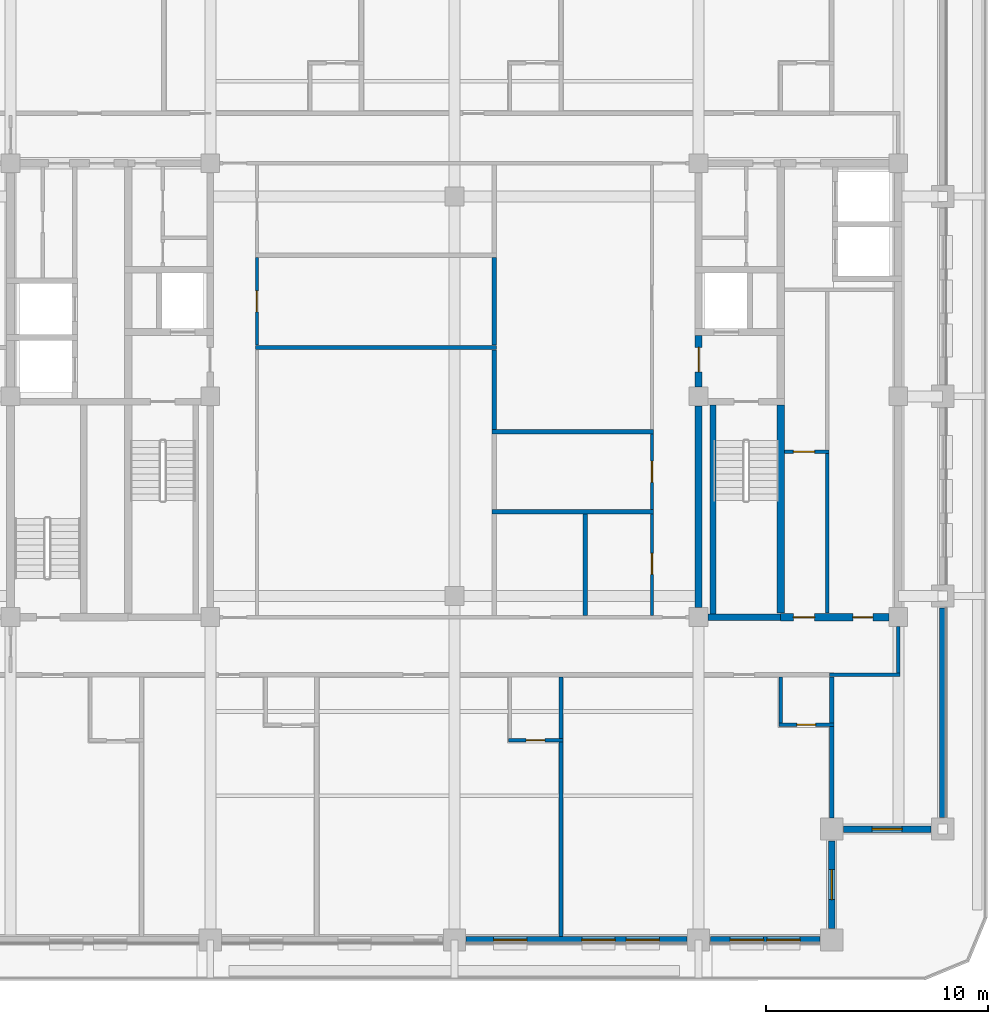
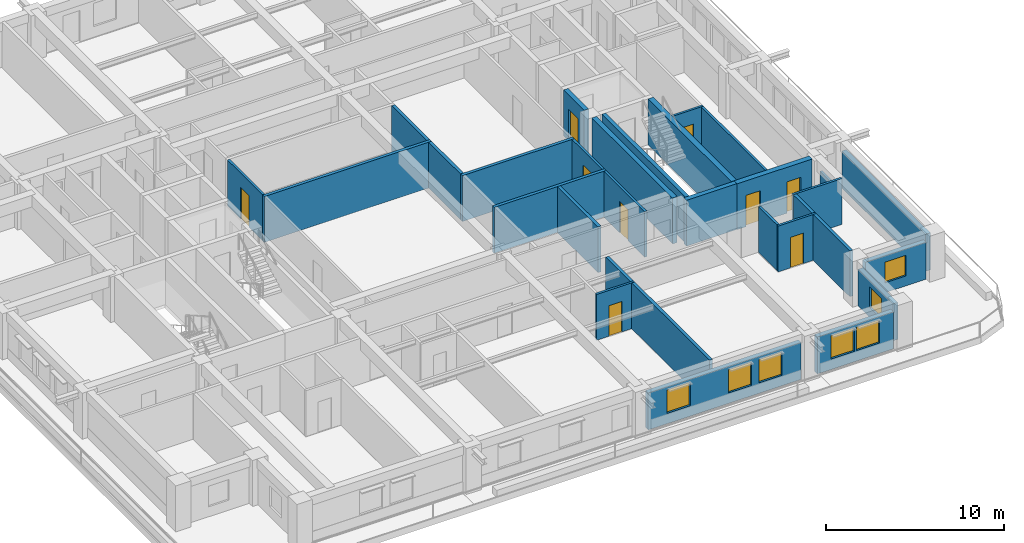
# One storey, part 4 of 14: 31 walls, 9 doors, 7 windows, 16 openings.
"""IFC4 building model written with IfcOpenShell, lengths in metres."""

from ifc_helpers import new_model, si_unit, direction, frame, frame_2d, origin, place, context, subcontext, project, spatial, rectangle, extrude, material, layer, layer_set, type_object, element, fill, save


model = new_model("IFC4")

# Units and contexts
model_context = context("Model", 3, precision=1e-05, world=origin(), true_north=direction((0.0, 1.0)))
body_context = subcontext(model_context, "Body", "Model", "MODEL_VIEW")
ifc_project = project(units=[si_unit("LENGTHUNIT", "METRE"), si_unit("AREAUNIT", "SQUARE_METRE"), si_unit("VOLUMEUNIT", "CUBIC_METRE"), si_unit("PLANEANGLEUNIT", "RADIAN"), si_unit("MASSUNIT", "GRAM", prefix="KILO")], contexts=[model_context])

# Site, building, storey
site_placement = place(None, origin())
site = spatial("IfcSite", under=ifc_project, at=site_placement, CompositionType="ELEMENT")
building_placement = place(site_placement, origin())
building = spatial("IfcBuilding", under=site, at=building_placement, Name="Zulmaris Gate Convention Tower", CompositionType="ELEMENT")
storey_placement = place(building_placement, frame((0.0, 0.0, 205.06005859375)))
storey = spatial("IfcBuildingStorey", under=building, at=storey_placement, Name="L53", CompositionType="ELEMENT", Elevation=205.06005859375)

# Walls
ifc_material_1 = material(Name="Concrete C50/60", Category="concrete")
ifc_layer_1 = layer(ifc_material_1, 0.25, Name="Concrete C50/60")
ifc_layer_set_1 = layer_set([ifc_layer_1], Name="Concrete C50/60")
wall_type_1 = type_object("IfcWallType", Name="CORE-250", PredefinedType="SOLIDWALL", material=ifc_layer_set_1)
wall_1_placement = place(storey_placement, frame((11.64990234375, -9.798095703125, 0.0), z_axis=(0.0, 0.0, 1.0), x_axis=(0.0, 1.0, 0.0)))
element("IfcWall", 1, at=wall_1_placement, inside=storey, type_object=wall_type_1, Name="WL-L53-066", PredefinedType="SOLIDWALL", context=body_context, shape_type="SweptSolid", body=[
    extrude(rectangle(XDim=9.39599609375, YDim=0.25, at=frame_2d((4.697998046875, 0.0))), origin(), (0.0, 0.0, 1.0), 3.14990234375),
])
ifc_layer_2 = layer(ifc_material_1, 0.300048828125, Name="Concrete C50/60")
ifc_layer_set_2 = layer_set([ifc_layer_2], Name="Concrete C50/60")
wall_type_2 = type_object("IfcWallType", Name="CORE-300", PredefinedType="SHEAR", material=ifc_layer_set_2)
wall_2_placement = place(storey_placement, frame((11.428955078125, -9.949951171875, 0.0), z_axis=(0.0, 0.0, 1.0), x_axis=(1.0, 0.0, 0.0)))
element("IfcWall", 2, at=wall_2_placement, inside=storey, type_object=wall_type_2, Name="WL-L53-003", PredefinedType="SHEAR", context=body_context, shape_type="SweptSolid", body=[
    extrude(rectangle(XDim=3.27099609375, YDim=0.300048828125, at=frame_2d((1.635498046875, 0.0))), origin(), (0.0, 0.0, 1.0), 3.14990234375),
])
wall_3_placement = place(storey_placement, frame((11.0, -9.52099609375, 0.0), z_axis=(0.0, 0.0, 1.0), x_axis=(0.0, 1.0, 0.0)))
element("IfcWall", 3, at=wall_3_placement, inside=storey, type_object=wall_type_2, Name="WL-L53-062", PredefinedType="SHEAR", context=body_context, shape_type="SweptSolid", body=[
    extrude(rectangle(XDim=9.092041015625, YDim=0.300048828125, at=frame_2d((4.5458984375, 0.0))), origin(), (0.0, 0.0, 1.0), 3.14990234375),
])

# Wall, opening, door
wall_4_placement = place(storey_placement, frame((11.0, 0.428955078125, 0.0), z_axis=(0.0, 0.0, 1.0), x_axis=(0.0, 1.0, 0.0)))
wall_4 = element("IfcWall", 4, at=wall_4_placement, inside=storey, type_object=wall_type_2, Name="WL-L53-063", PredefinedType="SHEAR", context=body_context, shape_type="SweptSolid", body=[
    extrude(rectangle(XDim=2.319091796875, YDim=0.300048828125, at=frame_2d((1.15966796875, 0.0))), origin(), (0.0, 0.0, 1.0), 3.14990234375),
])
opening_1_placement = place(wall_4_placement, frame((0.6708984375, 0.0, 0.0)))
opening_1 = element("IfcOpeningElement", 5, at=opening_1_placement, cuts=wall_4, Name="Opening D-08", PredefinedType="OPENING", context=body_context, shape_type="SweptSolid", body=[
    extrude(rectangle(XDim=1.10009765625, YDim=2.14990234375, at=frame_2d((0.550048828125, 1.074951171875))), frame((0.0, 0.16015625, 0.0), z_axis=(0.0, -1.0, 0.0), x_axis=(1.0, 0.0, 0.0)), (0.0, 0.0, 1.0), 0.320068359375),
])
ifc_material_2 = material(Name="Fire-Rated Steel", Category="steel")
door_type_1 = type_object("IfcDoorType", Name="DR-1100-FD", OperationType="NOTDEFINED", PredefinedType="DOOR", material=ifc_material_2)
door_1_placement = place(opening_1_placement, origin())
door_1 = element("IfcDoor", 6, at=door_1_placement, inside=storey, type_object=door_type_1, Name="L53 East Firefighting Lobby Door 05", OperationType="SINGLE_SWING_LEFT", OverallHeight=2.14990234375, OverallWidth=1.10009765625, PredefinedType="DOOR", context=body_context, shape_type="SweptSolid", body=[
    extrude(rectangle(XDim=1.10009765625, YDim=2.14990234375, at=frame_2d((0.550048828125, 1.074951171875))), frame((0.0, 0.02490234375, 0.0), z_axis=(0.0, -1.0, 0.0), x_axis=(1.0, 0.0, 0.0)), (0.0, 0.0, 1.0), 0.050048828125),
])
fill(opening_1, door_1)

# Wall, openings, doors
ifc_material_3 = material(Name="Concrete C55/67", Category="concrete")
ifc_layer_3 = layer(ifc_material_3, 0.35009765625, Name="Concrete C55/67")
ifc_layer_set_3 = layer_set([ifc_layer_3], Name="Concrete C55/67")
wall_type_3 = type_object("IfcWallType", Name="CORE-350", PredefinedType="SHEAR", material=ifc_layer_set_3)
wall_5_placement = place(storey_placement, frame((14.699951171875, -9.949951171875, 0.0), z_axis=(0.0, 0.0, 1.0), x_axis=(1.0, 0.0, 0.0)))
wall_5 = element("IfcWall", 7, at=wall_5_placement, inside=storey, type_object=wall_type_3, Name="WL-L53-004", PredefinedType="SHEAR", context=body_context, shape_type="SweptSolid", body=[
    extrude(rectangle(XDim=4.87109375, YDim=0.35009765625, at=frame_2d((2.435546875, 0.0))), origin(), (0.0, 0.0, 1.0), 3.14990234375),
])
opening_2_placement = place(wall_5_placement, frame((3.25, 0.0, 0.0)))
opening_2 = element("IfcOpeningElement", 8, at=opening_2_placement, cuts=wall_5, Name="Opening D-12", PredefinedType="OPENING", context=body_context, shape_type="SweptSolid", body=[
    extrude(rectangle(XDim=0.89990234375, YDim=2.14990234375, at=frame_2d((0.449951171875, 1.074951171875))), frame((0.0, 0.18505859375, 0.0), z_axis=(0.0, -1.0, 0.0), x_axis=(1.0, 0.0, 0.0)), (0.0, 0.0, 1.0), 0.3701171875),
])
opening_3_placement = place(wall_5_placement, frame((0.574951171875, 0.0, 0.0)))
opening_3 = element("IfcOpeningElement", 9, at=opening_3_placement, cuts=wall_5, Name="Opening D-11", PredefinedType="OPENING", context=body_context, shape_type="SweptSolid", body=[
    extrude(rectangle(XDim=0.949951171875, YDim=2.14990234375, at=frame_2d((0.47509765625, 1.074951171875))), frame((0.0, 0.18505859375, 0.0), z_axis=(0.0, -1.0, 0.0), x_axis=(1.0, 0.0, 0.0)), (0.0, 0.0, 1.0), 0.3701171875),
])
ifc_material_4 = material(Name="Fire-Rated Timber", Category="wood")
door_type_2 = type_object("IfcDoorType", Name="DR-900-FD", OperationType="NOTDEFINED", PredefinedType="DOOR", material=ifc_material_4)
door_2_placement = place(opening_2_placement, origin())
door_2 = element("IfcDoor", 10, at=door_2_placement, inside=storey, type_object=door_type_2, Name="L53 Core IT Room Door 22", OperationType="SINGLE_SWING_LEFT", OverallHeight=2.14990234375, OverallWidth=0.89990234375, PredefinedType="DOOR", context=body_context, shape_type="SweptSolid", body=[
    extrude(rectangle(XDim=0.89990234375, YDim=2.14990234375, at=frame_2d((0.449951171875, 1.074951171875))), frame((0.0, 0.02490234375, 0.0), z_axis=(0.0, -1.0, 0.0), x_axis=(1.0, 0.0, 0.0)), (0.0, 0.0, 1.0), 0.050048828125),
])
fill(opening_2, door_2)
door_type_3 = type_object("IfcDoorType", Name="DR-950-FD", OperationType="NOTDEFINED", PredefinedType="DOOR", material=ifc_material_4)
door_3_placement = place(opening_3_placement, origin())
door_3 = element("IfcDoor", 11, at=door_3_placement, inside=storey, type_object=door_type_3, Name="L53 Guest Pantry Door 23", OperationType="SINGLE_SWING_RIGHT", OverallHeight=2.14990234375, OverallWidth=0.949951171875, PredefinedType="DOOR", context=body_context, shape_type="SweptSolid", body=[
    extrude(rectangle(XDim=0.949951171875, YDim=2.14990234375, at=frame_2d((0.47509765625, 1.074951171875))), frame((0.0, 0.02490234375, 0.0), z_axis=(0.0, -1.0, 0.0), x_axis=(1.0, 0.0, 0.0)), (0.0, 0.0, 1.0), 0.050048828125),
])
fill(opening_3, door_3)

# Wall
wall_6_placement = place(storey_placement, frame((14.699951171875, -9.77294921875, 0.0), z_axis=(0.0, 0.0, 1.0), x_axis=(0.0, 1.0, 0.0)))
element("IfcWall", 12, at=wall_6_placement, inside=storey, type_object=wall_type_3, Name="WL-L53-068", PredefinedType="SHEAR", context=body_context, shape_type="SweptSolid", body=[
    extrude(rectangle(XDim=9.370849609375, YDim=0.35009765625, at=frame_2d((4.685546875, 0.0))), origin(), (0.0, 0.0, 1.0), 3.14990234375),
])

# Wall, opening, door
ifc_material_5 = material(Name="Gypsum Metal Stud Partition")
ifc_layer_4 = layer(ifc_material_5, 0.14990234375, Name="Gypsum Metal Stud Partition")
ifc_layer_set_4 = layer_set([ifc_layer_4], Name="Gypsum Metal Stud Partition")
wall_type_4 = type_object("IfcWallType", Name="PART-150", PredefinedType="PARTITIONING", material=ifc_layer_set_4)
wall_7_placement = place(storey_placement, frame((2.425048828125, -15.5, 0.0), z_axis=(0.0, 0.0, 1.0), x_axis=(1.0, 0.0, 0.0)))
wall_7 = element("IfcWall", 13, at=wall_7_placement, inside=storey, type_object=wall_type_4, Name="WL-L53-020", PredefinedType="PARTITIONING", context=body_context, shape_type="SweptSolid", body=[
    extrude(rectangle(XDim=2.474853515625, YDim=0.14990234375, at=frame_2d((1.2373046875, 0.0))), origin(), (0.0, 0.0, 1.0), 3.14990234375),
])
opening_4_placement = place(wall_7_placement, frame((0.800048828125, 0.0, 0.0)))
opening_4 = element("IfcOpeningElement", 14, at=opening_4_placement, cuts=wall_7, Name="Opening D-17", PredefinedType="OPENING", context=body_context, shape_type="SweptSolid", body=[
    extrude(rectangle(XDim=0.85009765625, YDim=2.10009765625, at=frame_2d((0.425048828125, 1.050048828125))), frame((0.0, 0.0849609375, 0.0), z_axis=(0.0, -1.0, 0.0), x_axis=(1.0, 0.0, 0.0)), (0.0, 0.0, 1.0), 0.169921875),
])
ifc_material_6 = material(Name="Moisture-Resistant Hardwood Timber", Category="wood")
door_type_4 = type_object("IfcDoorType", Name="DR-850", OperationType="NOTDEFINED", PredefinedType="DOOR", material=ifc_material_6)
door_4_placement = place(opening_4_placement, origin())
door_4 = element("IfcDoor", 15, at=door_4_placement, inside=storey, type_object=door_type_4, Name="L53 En-Suite Door 41", OperationType="SINGLE_SWING_RIGHT", OverallHeight=2.10009765625, OverallWidth=0.85009765625, PredefinedType="DOOR", context=body_context, shape_type="SweptSolid", body=[
    extrude(rectangle(XDim=0.85009765625, YDim=2.10009765625, at=frame_2d((0.425048828125, 1.050048828125))), frame((0.0, 0.02490234375, 0.0), z_axis=(0.0, -1.0, 0.0), x_axis=(1.0, 0.0, 0.0)), (0.0, 0.0, 1.0), 0.050048828125),
])
fill(opening_4, door_4)

wall_8_placement = place(storey_placement, frame((14.625, -14.800048828125, 0.0), z_axis=(0.0, 0.0, 1.0), x_axis=(1.0, 0.0, 0.0)))
wall_8 = element("IfcWall", 16, at=wall_8_placement, inside=storey, type_object=wall_type_4, Name="WL-L53-022", PredefinedType="PARTITIONING", context=body_context, shape_type="SweptSolid", body=[
    extrude(rectangle(XDim=2.47509765625, YDim=0.14990234375, at=frame_2d((1.237548828125, 0.0))), origin(), (0.0, 0.0, 1.0), 3.14990234375),
])
opening_5_placement = place(wall_8_placement, frame((0.800048828125, 0.0, 0.0)))
opening_5 = element("IfcOpeningElement", 17, at=opening_5_placement, cuts=wall_8, Name="Opening D-17", PredefinedType="OPENING", context=body_context, shape_type="SweptSolid", body=[
    extrude(rectangle(XDim=0.85009765625, YDim=2.10009765625, at=frame_2d((0.425048828125, 1.050048828125))), frame((0.0, 0.0849609375, 0.0), z_axis=(0.0, -1.0, 0.0), x_axis=(1.0, 0.0, 0.0)), (0.0, 0.0, 1.0), 0.169921875),
])
door_5_placement = place(opening_5_placement, origin())
door_5 = element("IfcDoor", 18, at=door_5_placement, inside=storey, type_object=door_type_4, Name="L53 En-Suite Door 43", OperationType="SINGLE_SWING_RIGHT", OverallHeight=2.10009765625, OverallWidth=0.85009765625, PredefinedType="DOOR", context=body_context, shape_type="SweptSolid", body=[
    extrude(rectangle(XDim=0.85009765625, YDim=2.10009765625, at=frame_2d((0.425048828125, 1.050048828125))), frame((0.0, 0.02490234375, 0.0), z_axis=(0.0, -1.0, 0.0), x_axis=(1.0, 0.0, 0.0)), (0.0, 0.0, 1.0), 0.050048828125),
])
fill(opening_5, door_5)

# Wall
wall_9_placement = place(storey_placement, frame((16.89990234375, -12.550048828125, 0.0), z_axis=(0.0, 0.0, 1.0), x_axis=(1.0, 0.0, 0.0)))
element("IfcWall", 19, at=wall_9_placement, inside=storey, type_object=wall_type_4, Name="WL-L53-025", PredefinedType="PARTITIONING", context=body_context, shape_type="SweptSolid", body=[
    extrude(rectangle(XDim=3.175048828125, YDim=0.14990234375, at=frame_2d((1.58740234375, 0.0))), origin(), (0.0, 0.0, 1.0), 3.14990234375),
])

# Wall, opening, door
wall_10_placement = place(storey_placement, frame((14.8779296875, -2.5, 0.0), z_axis=(0.0, 0.0, 1.0), x_axis=(1.0, 0.0, 0.0)))
wall_10 = element("IfcWall", 20, at=wall_10_placement, inside=storey, type_object=wall_type_4, Name="WL-L53-029", PredefinedType="PARTITIONING", context=body_context, shape_type="SweptSolid", body=[
    extrude(rectangle(XDim=1.9970703125, YDim=0.14990234375, at=frame_2d((0.99853515625, 0.0))), origin(), (0.0, 0.0, 1.0), 3.14990234375),
])
opening_6_placement = place(wall_10_placement, frame((0.39697265625, 0.0, 0.0)))
opening_6 = element("IfcOpeningElement", 21, at=opening_6_placement, cuts=wall_10, Name="Opening D-11", PredefinedType="OPENING", context=body_context, shape_type="SweptSolid", body=[
    extrude(rectangle(XDim=0.949951171875, YDim=2.14990234375, at=frame_2d((0.47509765625, 1.074951171875))), frame((0.0, 0.0849609375, 0.0), z_axis=(0.0, -1.0, 0.0), x_axis=(1.0, 0.0, 0.0)), (0.0, 0.0, 1.0), 0.169921875),
])
door_6_placement = place(opening_6_placement, origin())
door_6 = element("IfcDoor", 22, at=door_6_placement, inside=storey, type_object=door_type_3, Name="L53 Supply Closet Door 24", OperationType="SINGLE_SWING_LEFT", OverallHeight=2.14990234375, OverallWidth=0.949951171875, PredefinedType="DOOR", context=body_context, shape_type="SweptSolid", body=[
    extrude(rectangle(XDim=0.949951171875, YDim=2.14990234375, at=frame_2d((0.47509765625, 1.074951171875))), frame((0.0, 0.02490234375, 0.0), z_axis=(0.0, -1.0, 0.0), x_axis=(1.0, 0.0, 0.0)), (0.0, 0.0, 1.0), 0.050048828125),
])
fill(opening_6, door_6)

wall_11_placement = place(storey_placement, frame((-8.89990234375, 2.302978515625, 0.0), z_axis=(0.0, 0.0, 1.0), x_axis=(0.0, 1.0, 0.0)))
wall_11 = element("IfcWall", 23, at=wall_11_placement, inside=storey, type_object=wall_type_4, Name="WL-L53-090", PredefinedType="PARTITIONING", context=body_context, shape_type="SweptSolid", body=[
    extrude(rectangle(XDim=3.944091796875, YDim=0.14990234375, at=frame_2d((1.97216796875, 0.0))), origin(), (0.0, 0.0, 1.0), 3.14990234375),
])
opening_7_placement = place(wall_11_placement, frame((1.501953125, 0.0, 0.0)))
opening_7 = element("IfcOpeningElement", 24, at=opening_7_placement, cuts=wall_11, Name="Opening D-11", PredefinedType="OPENING", context=body_context, shape_type="SweptSolid", body=[
    extrude(rectangle(XDim=0.949951171875, YDim=2.14990234375, at=frame_2d((0.47509765625, 1.074951171875))), frame((0.0, 0.0849609375, 0.0), z_axis=(0.0, -1.0, 0.0), x_axis=(1.0, 0.0, 0.0)), (0.0, 0.0, 1.0), 0.169921875),
])
door_7_placement = place(opening_7_placement, origin())
door_7 = element("IfcDoor", 25, at=door_7_placement, inside=storey, type_object=door_type_3, Name="L53 Tea Salon Door 45", OperationType="SINGLE_SWING_RIGHT", OverallHeight=2.14990234375, OverallWidth=0.949951171875, PredefinedType="DOOR", context=body_context, shape_type="SweptSolid", body=[
    extrude(rectangle(XDim=0.949951171875, YDim=2.14990234375, at=frame_2d((0.47509765625, 1.074951171875))), frame((0.0, 0.02490234375, 0.0), z_axis=(0.0, -1.0, 0.0), x_axis=(1.0, 0.0, 0.0)), (0.0, 0.0, 1.0), 0.050048828125),
])
fill(opening_7, door_7)

wall_12_placement = place(storey_placement, frame((8.89990234375, -9.8720703125, 0.0), z_axis=(0.0, 0.0, 1.0), x_axis=(0.0, 1.0, 0.0)))
wall_12 = element("IfcWall", 26, at=wall_12_placement, inside=storey, type_object=wall_type_4, Name="WL-L53-110", PredefinedType="PARTITIONING", context=body_context, shape_type="SweptSolid", body=[
    extrude(rectangle(XDim=4.569091796875, YDim=0.14990234375, at=frame_2d((2.28466796875, 0.0))), origin(), (0.0, 0.0, 1.0), 3.14990234375),
])
opening_8_placement = place(wall_12_placement, frame((1.846923828125, 0.0, 0.0)))
opening_8 = element("IfcOpeningElement", 27, at=opening_8_placement, cuts=wall_12, Name="Opening D-11", PredefinedType="OPENING", context=body_context, shape_type="SweptSolid", body=[
    extrude(rectangle(XDim=0.949951171875, YDim=2.14990234375, at=frame_2d((0.47509765625, 1.074951171875))), frame((0.0, 0.0849609375, 0.0), z_axis=(0.0, -1.0, 0.0), x_axis=(1.0, 0.0, 0.0)), (0.0, 0.0, 1.0), 0.169921875),
])
door_8_placement = place(opening_8_placement, origin())
door_8 = element("IfcDoor", 28, at=door_8_placement, inside=storey, type_object=door_type_3, Name="L53 Accessible WC Door 49", OperationType="SINGLE_SWING_RIGHT", OverallHeight=2.14990234375, OverallWidth=0.949951171875, PredefinedType="DOOR", context=body_context, shape_type="SweptSolid", body=[
    extrude(rectangle(XDim=0.949951171875, YDim=2.14990234375, at=frame_2d((0.47509765625, 1.074951171875))), frame((0.0, 0.02490234375, 0.0), z_axis=(0.0, -1.0, 0.0), x_axis=(1.0, 0.0, 0.0)), (0.0, 0.0, 1.0), 0.050048828125),
])
fill(opening_8, door_8)

wall_13_placement = place(storey_placement, frame((8.89990234375, -5.096923828125, 0.0), z_axis=(0.0, 0.0, 1.0), x_axis=(0.0, 1.0, 0.0)))
wall_13 = element("IfcWall", 29, at=wall_13_placement, inside=storey, type_object=wall_type_4, Name="WL-L53-111", PredefinedType="PARTITIONING", context=body_context, shape_type="SweptSolid", body=[
    extrude(rectangle(XDim=3.39404296875, YDim=0.14990234375, at=frame_2d((1.697021484375, 0.0))), origin(), (0.0, 0.0, 1.0), 3.14990234375),
])
opening_9_placement = place(wall_13_placement, frame((1.221923828125, 0.0, 0.0)))
opening_9 = element("IfcOpeningElement", 30, at=opening_9_placement, cuts=wall_13, Name="Opening D-11", PredefinedType="OPENING", context=body_context, shape_type="SweptSolid", body=[
    extrude(rectangle(XDim=0.949951171875, YDim=2.14990234375, at=frame_2d((0.47509765625, 1.074951171875))), frame((0.0, 0.0849609375, 0.0), z_axis=(0.0, -1.0, 0.0), x_axis=(1.0, 0.0, 0.0)), (0.0, 0.0, 1.0), 0.169921875),
])
door_9_placement = place(opening_9_placement, origin())
door_9 = element("IfcDoor", 31, at=door_9_placement, inside=storey, type_object=door_type_3, Name="L53 Public WC Door 48", OperationType="SINGLE_SWING_LEFT", OverallHeight=2.14990234375, OverallWidth=0.949951171875, PredefinedType="DOOR", context=body_context, shape_type="SweptSolid", body=[
    extrude(rectangle(XDim=0.949951171875, YDim=2.14990234375, at=frame_2d((0.47509765625, 1.074951171875))), frame((0.0, 0.02490234375, 0.0), z_axis=(0.0, -1.0, 0.0), x_axis=(1.0, 0.0, 0.0)), (0.0, 0.0, 1.0), 0.050048828125),
])
fill(opening_9, door_9)

# Walls
wall_14_placement = place(storey_placement, frame((14.699951171875, -14.721923828125, 0.0), z_axis=(0.0, 0.0, 1.0), x_axis=(0.0, 1.0, 0.0)))
element("IfcWall", 32, at=wall_14_placement, inside=storey, type_object=wall_type_4, Name="WL-L53-115", PredefinedType="PARTITIONING", context=body_context, shape_type="SweptSolid", body=[
    extrude(rectangle(XDim=2.06884765625, YDim=0.14990234375, at=frame_2d((1.034423828125, 0.0))), origin(), (0.0, 0.0, 1.0), 3.14990234375),
])
wall_15_placement = place(storey_placement, frame((16.800048828125, -9.77197265625, 0.0), z_axis=(0.0, 0.0, 1.0), x_axis=(0.0, 1.0, 0.0)))
element("IfcWall", 33, at=wall_15_placement, inside=storey, type_object=wall_type_4, Name="WL-L53-117", PredefinedType="PARTITIONING", context=body_context, shape_type="SweptSolid", body=[
    extrude(rectangle(XDim=7.194091796875, YDim=0.14990234375, at=frame_2d((3.59716796875, 0.0))), origin(), (0.0, 0.0, 1.0), 3.14990234375),
])
wall_16_placement = place(storey_placement, frame((20.0, -12.471923828125, 0.0), z_axis=(0.0, 0.0, 1.0), x_axis=(0.0, 1.0, 0.0)))
element("IfcWall", 34, at=wall_16_placement, inside=storey, type_object=wall_type_4, Name="WL-L53-123", PredefinedType="PARTITIONING", context=body_context, shape_type="SweptSolid", body=[
    extrude(rectangle(XDim=2.0908203125, YDim=0.14990234375, at=frame_2d((1.04541015625, 0.0))), origin(), (0.0, 0.0, 1.0), 2.342041015625),
])
ifc_material_7 = material(Name="Autoclaved Aerated Concrete Block and Plasterboard", Category="concrete")
ifc_layer_5 = layer(ifc_material_7, 0.199951171875, Name="Autoclaved Aerated Concrete Block and Plasterboard")
ifc_layer_set_5 = layer_set([ifc_layer_5], Name="Autoclaved Aerated Concrete Block and Plasterboard")
wall_type_5 = type_object("IfcWallType", Name="PART-200", PredefinedType="PARTITIONING", material=ifc_layer_set_5)
for number, where, z_axis, x_axis, name in (
    (35, (1.699951171875, -5.199951171875, 0.0), (0.0, 0.0, 1.0), (1.0, 0.0, 0.0), "WL-L53-028"),
    (36, (1.699951171875, -1.60009765625, 0.0), (0.0, 0.0, 1.0), (1.0, 0.0, 0.0), "WL-L53-030"),
):
    element("IfcWall", number, at=place(storey_placement, frame(where, z_axis=z_axis, x_axis=x_axis)), inside=storey, type_object=wall_type_5, Name=name, PredefinedType="PARTITIONING", context=body_context, shape_type="SweptSolid", body=[
        extrude(rectangle(XDim=7.275146484375, YDim=0.199951171875, at=frame_2d((3.6376953125, 0.0))), origin(), (0.0, 0.0, 1.0), 3.14990234375),
    ])
wall_17_placement = place(storey_placement, frame((-8.97509765625, 2.199951171875, 0.0), z_axis=(0.0, 0.0, 1.0), x_axis=(1.0, 0.0, 0.0)))
element("IfcWall", 37, at=wall_17_placement, inside=storey, type_object=wall_type_5, Name="WL-L53-032", PredefinedType="PARTITIONING", context=body_context, shape_type="SweptSolid", body=[
    extrude(rectangle(XDim=10.875, YDim=0.199951171875, at=frame_2d((5.4375, 0.0))), origin(), (0.0, 0.0, 1.0), 3.14990234375),
])
wall_18_placement = place(storey_placement, frame((1.800048828125, -1.4970703125, 0.0), z_axis=(0.0, 0.0, 1.0), x_axis=(0.0, 1.0, 0.0)))
element("IfcWall", 38, at=wall_18_placement, inside=storey, type_object=wall_type_5, Name="WL-L53-100", PredefinedType="PARTITIONING", context=body_context, shape_type="SweptSolid", body=[
    extrude(rectangle(XDim=3.593994140625, YDim=0.199951171875, at=frame_2d((1.796875, 0.0))), origin(), (0.0, 0.0, 1.0), 3.14990234375),
])
wall_19_placement = place(storey_placement, frame((1.800048828125, 2.302978515625, 0.0), z_axis=(0.0, 0.0, 1.0), x_axis=(0.0, 1.0, 0.0)))
element("IfcWall", 39, at=wall_19_placement, inside=storey, type_object=wall_type_5, Name="WL-L53-101", PredefinedType="PARTITIONING", context=body_context, shape_type="SweptSolid", body=[
    extrude(rectangle(XDim=3.944091796875, YDim=0.199951171875, at=frame_2d((1.97216796875, 0.0))), origin(), (0.0, 0.0, 1.0), 3.14990234375),
])
wall_20_placement = place(storey_placement, frame((4.800048828125, -24.3349609375, 0.0), z_axis=(0.0, 0.0, 1.0), x_axis=(0.0, 1.0, 0.0)))
element("IfcWall", 40, at=wall_20_placement, inside=storey, type_object=wall_type_5, Name="WL-L53-105", PredefinedType="PARTITIONING", context=body_context, shape_type="SweptSolid", body=[
    extrude(rectangle(XDim=8.757080078125, YDim=0.199951171875, at=frame_2d((4.37841796875, 0.0))), origin(), (0.0, 0.0, 1.0), 3.14990234375),
])
wall_21_placement = place(storey_placement, frame((4.800048828125, -15.422119140625, 0.0), z_axis=(0.0, 0.0, 1.0), x_axis=(0.0, 1.0, 0.0)))
element("IfcWall", 41, at=wall_21_placement, inside=storey, type_object=wall_type_5, Name="WL-L53-106", PredefinedType="PARTITIONING", context=body_context, shape_type="SweptSolid", body=[
    extrude(rectangle(XDim=2.76904296875, YDim=0.199951171875, at=frame_2d((1.384521484375, 0.0))), origin(), (0.0, 0.0, 1.0), 3.14990234375),
])
wall_22_placement = place(storey_placement, frame((5.89990234375, -9.8720703125, 0.0), z_axis=(0.0, 0.0, 1.0), x_axis=(0.0, 1.0, 0.0)))
element("IfcWall", 42, at=wall_22_placement, inside=storey, type_object=wall_type_5, Name="WL-L53-109", PredefinedType="PARTITIONING", context=body_context, shape_type="SweptSolid", body=[
    extrude(rectangle(XDim=4.569091796875, YDim=0.199951171875, at=frame_2d((2.28466796875, 0.0))), origin(), (0.0, 0.0, 1.0), 3.14990234375),
])
wall_23_placement = place(storey_placement, frame((17.0, -18.993896484375, 0.0), z_axis=(0.0, 0.0, 1.0), x_axis=(0.0, 1.0, 0.0)))
element("IfcWall", 43, at=wall_23_placement, inside=storey, type_object=wall_type_5, Name="WL-L53-119", PredefinedType="PARTITIONING", context=body_context, shape_type="SweptSolid", body=[
    extrude(rectangle(XDim=4.115966796875, YDim=0.199951171875, at=frame_2d((2.05810546875, 0.0))), origin(), (0.0, 0.0, 1.0), 3.14990234375),
])
wall_24_placement = place(storey_placement, frame((17.0, -14.721923828125, 0.0), z_axis=(0.0, 0.0, 1.0), x_axis=(0.0, 1.0, 0.0)))
element("IfcWall", 44, at=wall_24_placement, inside=storey, type_object=wall_type_5, Name="WL-L53-120", PredefinedType="PARTITIONING", context=body_context, shape_type="SweptSolid", body=[
    extrude(rectangle(XDim=2.06884765625, YDim=0.199951171875, at=frame_2d((1.034423828125, 0.0))), origin(), (0.0, 0.0, 1.0), 3.14990234375),
])

# Wall, opening, window
ifc_material_8 = material(Name="Precast concrete C40/50", Category="concrete")
ifc_layer_6 = layer(ifc_material_8, 0.300048828125, Name="Precast concrete C40/50")
ifc_layer_set_6 = layer_set([ifc_layer_6], Name="Precast concrete C40/50")
wall_type_6 = type_object("IfcWallType", Name="PRECAST-PIER-300", PredefinedType="STANDARD", material=ifc_layer_set_6)
wall_25_placement = place(storey_placement, frame((17.0, -23.969970703125, 0.0), z_axis=(0.0, 0.0, 1.0), x_axis=(0.0, 1.0, 0.0)))
wall_25 = element("IfcWall", 45, at=wall_25_placement, inside=storey, type_object=wall_type_6, Name="EW-L53-NOTCH-SE1_0", PredefinedType="STANDARD", context=body_context, shape_type="SweptSolid", body=[
    extrude(rectangle(XDim=3.93994140625, YDim=0.300048828125, at=frame_2d((1.969970703125, 0.0))), origin(), (0.0, 0.0, 1.0), 2.5419921875),
])
opening_10_placement = place(wall_25_placement, frame((1.294921875, 0.0, 0.679931640625)))
opening_10 = element("IfcOpeningElement", 46, at=opening_10_placement, cuts=wall_25, Name="Opening W-10", PredefinedType="OPENING", context=body_context, shape_type="SweptSolid", body=[
    extrude(rectangle(XDim=1.35009765625, YDim=1.419921875, at=frame_2d((0.675048828125, 0.7099609375))), frame((0.0, 0.16015625, 0.0), z_axis=(0.0, -1.0, 0.0), x_axis=(1.0, 0.0, 0.0)), (0.0, 0.0, 1.0), 0.320068359375),
])
ifc_material_9 = material(Name="Low-E Laminated Double Glazing in Aluminium Frame", Category="aluminium")
window_type_1 = type_object("IfcWindowType", Name="WIN-1350x2000", PartitioningType="SINGLE_PANEL", PredefinedType="WINDOW", material=ifc_material_9)
window_1_placement = place(opening_10_placement, origin())
window_1 = element("IfcWindow", 47, at=window_1_placement, inside=storey, type_object=window_type_1, Name="WN-EW-L53-NOTCH-SE1_0", OverallHeight=1.419921875, OverallWidth=1.35009765625, PartitioningType="SINGLE_PANEL", PredefinedType="WINDOW", context=body_context, shape_type="SweptSolid", body=[
    extrude(rectangle(XDim=1.35009765625, YDim=1.419921875, at=frame_2d((0.675048828125, 0.7099609375))), frame((0.0, 0.030029296875, 0.0), z_axis=(0.0, -1.0, 0.0), x_axis=(1.0, 0.0, 0.0)), (0.0, 0.0, 1.0), 0.06005859375),
])
fill(opening_10, window_1)

wall_26_placement = place(storey_placement, frame((17.530029296875, -19.5, 0.0), z_axis=(0.0, 0.0, 1.0), x_axis=(1.0, 0.0, 0.0)))
wall_26 = element("IfcWall", 48, at=wall_26_placement, inside=storey, type_object=wall_type_6, Name="EW-L53-NOTCH-SE2_0", PredefinedType="STANDARD", context=body_context, shape_type="SweptSolid", body=[
    extrude(rectangle(XDim=3.93994140625, YDim=0.300048828125, at=frame_2d((1.969970703125, 0.0))), origin(), (0.0, 0.0, 1.0), 2.5419921875),
])
opening_11_placement = place(wall_26_placement, frame((1.294921875, 0.0, 0.679931640625)))
opening_11 = element("IfcOpeningElement", 49, at=opening_11_placement, cuts=wall_26, Name="Opening W-10", PredefinedType="OPENING", context=body_context, shape_type="SweptSolid", body=[
    extrude(rectangle(XDim=1.35009765625, YDim=1.419921875, at=frame_2d((0.675048828125, 0.7099609375))), frame((0.0, 0.16015625, 0.0), z_axis=(0.0, -1.0, 0.0), x_axis=(1.0, 0.0, 0.0)), (0.0, 0.0, 1.0), 0.320068359375),
])
window_2_placement = place(opening_11_placement, origin())
window_2 = element("IfcWindow", 50, at=window_2_placement, inside=storey, type_object=window_type_1, Name="WN-EW-L53-NOTCH-SE2_0", OverallHeight=1.419921875, OverallWidth=1.35009765625, PartitioningType="SINGLE_PANEL", PredefinedType="WINDOW", context=body_context, shape_type="SweptSolid", body=[
    extrude(rectangle(XDim=1.35009765625, YDim=1.419921875, at=frame_2d((0.675048828125, 0.7099609375))), frame((0.0, 0.030029296875, 0.0), z_axis=(0.0, -1.0, 0.0), x_axis=(1.0, 0.0, 0.0)), (0.0, 0.0, 1.0), 0.06005859375),
])
fill(opening_11, window_2)

# Wall, openings, windows
wall_27_placement = place(storey_placement, frame((0.530029296875, -24.5, 0.0), z_axis=(0.0, 0.0, 1.0), x_axis=(1.0, 0.0, 0.0)))
wall_27 = element("IfcWall", 51, at=wall_27_placement, inside=storey, type_object=wall_type_6, Name="EW-L53-S-2_0", PredefinedType="STANDARD", context=body_context, shape_type="SweptSolid", body=[
    extrude(rectangle(XDim=9.93994140625, YDim=0.300048828125, at=frame_2d((4.969970703125, 0.0))), origin(), (0.0, 0.0, 1.0), 2.5419921875),
])
opening_12_placement = place(wall_27_placement, frame((1.238037109375, 0.0, 0.719970703125)))
opening_12 = element("IfcOpeningElement", 52, at=opening_12_placement, cuts=wall_27, Name="Opening W-03", PredefinedType="OPENING", context=body_context, shape_type="SweptSolid", body=[
    extrude(rectangle(XDim=1.5, YDim=1.60009765625, at=frame_2d((0.75, 0.800048828125))), frame((0.0, 0.16015625, 0.0), z_axis=(0.0, -1.0, 0.0), x_axis=(1.0, 0.0, 0.0)), (0.0, 0.0, 1.0), 0.320068359375),
])
opening_13_placement = place(wall_27_placement, frame((5.214111328125, 0.0, 0.719970703125)))
opening_13 = element("IfcOpeningElement", 53, at=opening_13_placement, cuts=wall_27, Name="Opening W-03", PredefinedType="OPENING", context=body_context, shape_type="SweptSolid", body=[
    extrude(rectangle(XDim=1.5, YDim=1.60009765625, at=frame_2d((0.75, 0.800048828125))), frame((0.0, 0.16015625, 0.0), z_axis=(0.0, -1.0, 0.0), x_axis=(1.0, 0.0, 0.0)), (0.0, 0.0, 1.0), 0.320068359375),
])
opening_14_placement = place(wall_27_placement, frame((7.201904296875, 0.0, 0.719970703125)))
opening_14 = element("IfcOpeningElement", 54, at=opening_14_placement, cuts=wall_27, Name="Opening W-03", PredefinedType="OPENING", context=body_context, shape_type="SweptSolid", body=[
    extrude(rectangle(XDim=1.5, YDim=1.60009765625, at=frame_2d((0.75, 0.800048828125))), frame((0.0, 0.16015625, 0.0), z_axis=(0.0, -1.0, 0.0), x_axis=(1.0, 0.0, 0.0)), (0.0, 0.0, 1.0), 0.320068359375),
])
window_type_2 = type_object("IfcWindowType", Name="WIN-1500x2100", PartitioningType="SINGLE_PANEL", PredefinedType="WINDOW", material=ifc_material_9)
window_3_placement = place(opening_12_placement, origin())
window_3 = element("IfcWindow", 55, at=window_3_placement, inside=storey, type_object=window_type_2, Name="WN-EW-L53-S-2_0-1", OverallHeight=1.60009765625, OverallWidth=1.5, PartitioningType="SINGLE_PANEL", PredefinedType="WINDOW", context=body_context, shape_type="SweptSolid", body=[
    extrude(rectangle(XDim=1.5, YDim=1.60009765625, at=frame_2d((0.75, 0.800048828125))), frame((0.0, 0.030029296875, 0.0), z_axis=(0.0, -1.0, 0.0), x_axis=(1.0, 0.0, 0.0)), (0.0, 0.0, 1.0), 0.06005859375),
])
fill(opening_12, window_3)
window_4_placement = place(opening_13_placement, origin())
window_4 = element("IfcWindow", 56, at=window_4_placement, inside=storey, type_object=window_type_2, Name="WN-EW-L53-S-2_0-3", OverallHeight=1.60009765625, OverallWidth=1.5, PartitioningType="SINGLE_PANEL", PredefinedType="WINDOW", context=body_context, shape_type="SweptSolid", body=[
    extrude(rectangle(XDim=1.5, YDim=1.60009765625, at=frame_2d((0.75, 0.800048828125))), frame((0.0, 0.030029296875, 0.0), z_axis=(0.0, -1.0, 0.0), x_axis=(1.0, 0.0, 0.0)), (0.0, 0.0, 1.0), 0.06005859375),
])
fill(opening_13, window_4)
window_5_placement = place(opening_14_placement, origin())
window_5 = element("IfcWindow", 57, at=window_5_placement, inside=storey, type_object=window_type_2, Name="WN-EW-L53-S-2_0-4", OverallHeight=1.60009765625, OverallWidth=1.5, PartitioningType="SINGLE_PANEL", PredefinedType="WINDOW", context=body_context, shape_type="SweptSolid", body=[
    extrude(rectangle(XDim=1.5, YDim=1.60009765625, at=frame_2d((0.75, 0.800048828125))), frame((0.0, 0.030029296875, 0.0), z_axis=(0.0, -1.0, 0.0), x_axis=(1.0, 0.0, 0.0)), (0.0, 0.0, 1.0), 0.06005859375),
])
fill(opening_14, window_5)

wall_28_placement = place(storey_placement, frame((11.530029296875, -24.5, 0.0), z_axis=(0.0, 0.0, 1.0), x_axis=(1.0, 0.0, 0.0)))
wall_28 = element("IfcWall", 58, at=wall_28_placement, inside=storey, type_object=wall_type_6, Name="EW-L53-S-3_0", PredefinedType="STANDARD", context=body_context, shape_type="SweptSolid", body=[
    extrude(rectangle(XDim=4.93994140625, YDim=0.300048828125, at=frame_2d((2.469970703125, 0.0))), origin(), (0.0, 0.0, 1.0), 2.5419921875),
])
opening_15_placement = place(wall_28_placement, frame((0.89697265625, 0.0, 0.719970703125)))
opening_15 = element("IfcOpeningElement", 59, at=opening_15_placement, cuts=wall_28, Name="Opening W-03", PredefinedType="OPENING", context=body_context, shape_type="SweptSolid", body=[
    extrude(rectangle(XDim=1.5, YDim=1.60009765625, at=frame_2d((0.75, 0.800048828125))), frame((0.0, 0.16015625, 0.0), z_axis=(0.0, -1.0, 0.0), x_axis=(1.0, 0.0, 0.0)), (0.0, 0.0, 1.0), 0.320068359375),
])
opening_16_placement = place(wall_28_placement, frame((2.54296875, 0.0, 0.719970703125)))
opening_16 = element("IfcOpeningElement", 60, at=opening_16_placement, cuts=wall_28, Name="Opening W-03", PredefinedType="OPENING", context=body_context, shape_type="SweptSolid", body=[
    extrude(rectangle(XDim=1.5, YDim=1.60009765625, at=frame_2d((0.75, 0.800048828125))), frame((0.0, 0.16015625, 0.0), z_axis=(0.0, -1.0, 0.0), x_axis=(1.0, 0.0, 0.0)), (0.0, 0.0, 1.0), 0.320068359375),
])
window_6_placement = place(opening_15_placement, origin())
window_6 = element("IfcWindow", 61, at=window_6_placement, inside=storey, type_object=window_type_2, Name="WN-EW-L53-S-3_0-1", OverallHeight=1.60009765625, OverallWidth=1.5, PartitioningType="SINGLE_PANEL", PredefinedType="WINDOW", context=body_context, shape_type="SweptSolid", body=[
    extrude(rectangle(XDim=1.5, YDim=1.60009765625, at=frame_2d((0.75, 0.800048828125))), frame((0.0, 0.030029296875, 0.0), z_axis=(0.0, -1.0, 0.0), x_axis=(1.0, 0.0, 0.0)), (0.0, 0.0, 1.0), 0.06005859375),
])
fill(opening_15, window_6)
window_7_placement = place(opening_16_placement, origin())
window_7 = element("IfcWindow", 62, at=window_7_placement, inside=storey, type_object=window_type_2, Name="WN-EW-L53-S-3_0-2", OverallHeight=1.60009765625, OverallWidth=1.5, PartitioningType="SINGLE_PANEL", PredefinedType="WINDOW", context=body_context, shape_type="SweptSolid", body=[
    extrude(rectangle(XDim=1.5, YDim=1.60009765625, at=frame_2d((0.75, 0.800048828125))), frame((0.0, 0.030029296875, 0.0), z_axis=(0.0, -1.0, 0.0), x_axis=(1.0, 0.0, 0.0)), (0.0, 0.0, 1.0), 0.06005859375),
])
fill(opening_16, window_7)

# Wall
wall_29_placement = place(storey_placement, frame((22.0, -18.969970703125, 0.0), z_axis=(0.0, 0.0, 1.0), x_axis=(0.0, 1.0, 0.0)))
element("IfcWall", 63, at=wall_29_placement, inside=storey, type_object=wall_type_6, Name="EW-L53-E-0_0", PredefinedType="STANDARD", context=body_context, shape_type="SweptSolid", body=[
    extrude(rectangle(XDim=9.43994140625, YDim=0.300048828125, at=frame_2d((4.719970703125, 0.0))), origin(), (0.0, 0.0, 1.0), 2.5419921875),
])

save(model, "model.ifc")
